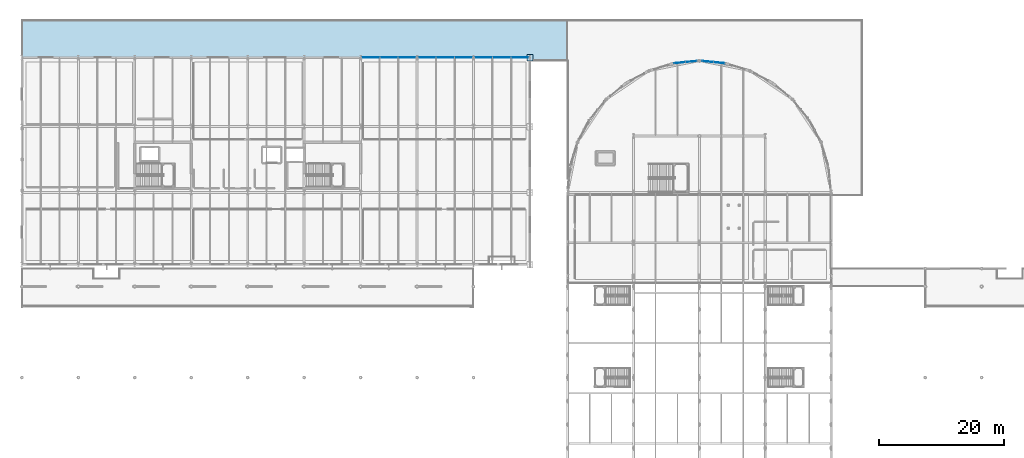
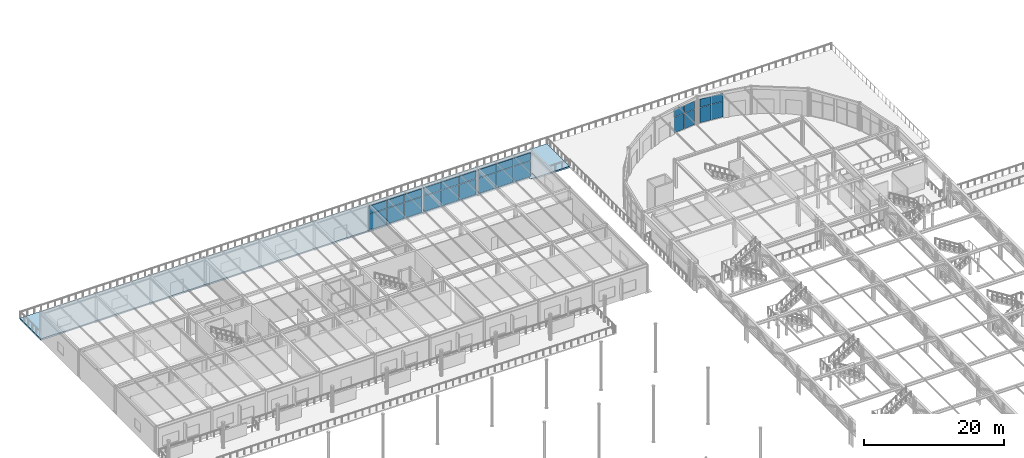
# One storey, part 76 of 143: 27 plates, 1 slab, 5 elements without a shape of their own.
"""IFC4 building model written with IfcOpenShell, lengths in metres."""

from ifc_helpers import new_model, si_unit, direction, frame, origin, origin_2d, place, context, subcontext, project, spatial, polyline, rectangle, outline, extrude, material, layer, layer_set, type_object, element, aggregate, save


model = new_model("IFC4")

# Units and contexts
model_context = context("Model", 3, precision=1e-05, world=origin(), true_north=direction((0.0, 1.0)))
body_context = subcontext(model_context, "Body", "Model", "MODEL_VIEW")
ifc_project = project(units=[si_unit("LENGTHUNIT", "METRE"), si_unit("AREAUNIT", "SQUARE_METRE"), si_unit("VOLUMEUNIT", "CUBIC_METRE"), si_unit("PLANEANGLEUNIT", "RADIAN"), si_unit("MASSUNIT", "GRAM", prefix="KILO")], contexts=[model_context])

# Site, building, storey
site_placement = place(None, origin())
site = spatial("IfcSite", under=ifc_project, at=site_placement, CompositionType="ELEMENT")
building_placement = place(site_placement, origin())
building = spatial("IfcBuilding", under=site, at=building_placement, Name="Marlcrest Central Station", CompositionType="ELEMENT")
storey_placement = place(building_placement, frame((0.0, 0.0, 4.800048828125)))
storey = spatial("IfcBuildingStorey", under=building, at=storey_placement, Name="L01", CompositionType="ELEMENT", Elevation=4.800048828125)

# Plate
ifc_material_1 = material(Name="Steel S355", Category="steel")
ifc_layer_1 = layer(ifc_material_1, 0.0380859375, Name="BPL-02")
ifc_layer_set_1 = layer_set([ifc_layer_1], Name="Steel S355")
plate_type_1 = type_object("IfcPlateType", Name="BPL-02", PredefinedType="USERDEFINED", material=ifc_layer_set_1)
plate_1_placement = place(storey_placement, frame((81.0, 132.0, 0.0), z_axis=(0.0, 0.0, 1.0), x_axis=(1.0, 0.0, 0.0)))
element("IfcPlate", 1, at=plate_1_placement, inside=storey, type_object=plate_type_1, Name="plt-bp-00043", ObjectType="BASE_PLATE", PredefinedType="USERDEFINED", context=body_context, shape_type="SweptSolid", body=[
    extrude(rectangle(XDim=1.0, YDim=1.0, at=origin_2d()), origin(), (0.0, 0.0, 1.0), 0.0380859375),
])

# Slab
ifc_material_2 = material(Name="Concrete C35/45", Category="concrete")
ifc_layer_2 = layer(ifc_material_2, 0.27490234375, Name="BS-04")
ifc_layer_set_2 = layer_set([ifc_layer_2], Name="Concrete C35/45")
slab_type = type_object("IfcSlabType", Name="BS-04", PredefinedType="BASESLAB", material=ifc_layer_set_2)
slab_placement = place(storey_placement, frame((0.0, 0.0, -0.275146484375)))
element("IfcSlab", 2, at=slab_placement, inside=storey, type_object=slab_type, Name="slab-L01-0023", PredefinedType="BASESLAB", context=body_context, shape_type="SweptSolid", body=[
    extrude(outline(polyline([(0.0, 138.0), (87.0, 138.0), (87.0, 131.5), (81.0, 131.5), (81.0, 132.0), (0.0, 132.0), (0.0, 138.0)])), origin(), (0.0, 0.0, 1.0), 0.275146484375),
])

# Curtain wall, plates
ifc_material_3 = material(Name="Anodised aluminium and hurricane laminated glass", Category="aluminium")
ifc_layer_3 = layer(ifc_material_3, 0.219970703125, Name="CW-U1")
ifc_layer_set_3 = layer_set([ifc_layer_3], Name="Anodised aluminium and hurricane laminated glass")
curtain_wall_type = type_object("IfcCurtainWallType", Name="CW-U1", PredefinedType="USERDEFINED", material=ifc_layer_set_3)
curtain_wall_1_placement = place(storey_placement, origin())
curtain_wall_1 = element("IfcCurtainWall", 3, at=curtain_wall_1_placement, inside=storey, type_object=curtain_wall_type, Name="cw-L01-0061", ObjectType="UNITISED_CURTAIN_WALL", PredefinedType="USERDEFINED")
ifc_material_4 = material(Name="Hurricane laminated solar-control glass", Category="glass")
ifc_layer_4 = layer(ifc_material_4, 0.031982421875, Name="CP-01")
ifc_layer_set_4 = layer_set([ifc_layer_4], Name="Hurricane laminated solar-control glass")
plate_type_2 = type_object("IfcPlateType", Name="CP-01", PredefinedType="CURTAIN_PANEL", material=ifc_layer_set_4)
plate_2_placement = place(storey_placement, frame((104.842041015625, 131.188720703125, 0.080078125), z_axis=(0.0, 0.0, 1.0), x_axis=(0.995172744192, 0.098138724349, 0.0)))
plate_2 = element("IfcPlate", 4, at=plate_2_placement, type_object=plate_type_2, Name="cw-L01-0061-cp-lo-0", PredefinedType="CURTAIN_PANEL", context=body_context, shape_type="SweptSolid", body=[
    extrude(rectangle(XDim=1.77001953125, YDim=0.031982421875, at=origin_2d()), origin(), (0.0, 0.0, 1.0), 2.675048828125),
])
plate_3_placement = place(storey_placement, frame((106.67919921875, 131.369873046875, 0.080078125), z_axis=(0.0, 0.0, 1.0), x_axis=(0.995172744192, 0.098138724349, 0.0)))
plate_3 = element("IfcPlate", 5, at=plate_3_placement, type_object=plate_type_2, Name="cw-L01-0061-cp-lo-1", PredefinedType="CURTAIN_PANEL", context=body_context, shape_type="SweptSolid", body=[
    extrude(rectangle(XDim=1.77001953125, YDim=0.031982421875, at=origin_2d()), origin(), (0.0, 0.0, 1.0), 2.675048828125),
])

curtain_wall_2_placement = place(storey_placement, origin())
curtain_wall_2 = element("IfcCurtainWall", 6, at=curtain_wall_2_placement, inside=storey, type_object=curtain_wall_type, Name="cw-L01-0062", ObjectType="UNITISED_CURTAIN_WALL", PredefinedType="USERDEFINED")
plate_4_placement = place(storey_placement, frame((109.32080078125, 131.369873046875, 0.080078125), z_axis=(0.0, 0.0, 1.0), x_axis=(0.995172744192, -0.098138724349, 0.0)))
plate_4 = element("IfcPlate", 7, at=plate_4_placement, type_object=plate_type_2, Name="cw-L01-0062-cp-lo-0", PredefinedType="CURTAIN_PANEL", context=body_context, shape_type="SweptSolid", body=[
    extrude(rectangle(XDim=1.77001953125, YDim=0.031982421875, at=origin_2d()), origin(), (0.0, 0.0, 1.0), 2.675048828125),
])
plate_5_placement = place(storey_placement, frame((111.157958984375, 131.188720703125, 0.080078125), z_axis=(0.0, 0.0, 1.0), x_axis=(0.995172744192, -0.098138724349, 0.0)))
plate_5 = element("IfcPlate", 8, at=plate_5_placement, type_object=plate_type_2, Name="cw-L01-0062-cp-lo-1", PredefinedType="CURTAIN_PANEL", context=body_context, shape_type="SweptSolid", body=[
    extrude(rectangle(XDim=1.77001953125, YDim=0.031982421875, at=origin_2d()), origin(), (0.0, 0.0, 1.0), 2.675048828125),
])

curtain_wall_3_placement = place(storey_placement, origin())
curtain_wall_3 = element("IfcCurtainWall", 9, at=curtain_wall_3_placement, inside=storey, type_object=curtain_wall_type, Name="cw-L01-0156", ObjectType="UNITISED_CURTAIN_WALL", PredefinedType="USERDEFINED")
ifc_material_5 = material(Name="Acoustic triple-glazed solar-control glass", Category="glass")
ifc_layer_5 = layer(ifc_material_5, 0.0439453125, Name="CP-03")
ifc_layer_set_5 = layer_set([ifc_layer_5], Name="Acoustic triple-glazed solar-control glass")
plate_type_3 = type_object("IfcPlateType", Name="CP-03", PredefinedType="CURTAIN_PANEL", material=ifc_layer_set_5)
plate_6_placement = place(storey_placement, frame((55.60009765625, 132.0, 0.079833984375), z_axis=(0.0, 0.0, 1.0), x_axis=(1.0, 0.0, 0.0)))
plate_6 = element("IfcPlate", 10, at=plate_6_placement, type_object=plate_type_3, Name="cw-L01-0156-cp-lo-0", PredefinedType="CURTAIN_PANEL", context=body_context, shape_type="SweptSolid", body=[
    extrude(rectangle(XDim=2.823974609375, YDim=0.0439453125, at=origin_2d()), origin(), (0.0, 0.0, 1.0), 2.7080078125),
])
plate_7_placement = place(storey_placement, frame((58.5, 132.0, 0.079833984375), z_axis=(0.0, 0.0, 1.0), x_axis=(1.0, 0.0, 0.0)))
plate_7 = element("IfcPlate", 11, at=plate_7_placement, type_object=plate_type_3, Name="cw-L01-0156-cp-lo-1", PredefinedType="CURTAIN_PANEL", context=body_context, shape_type="SweptSolid", body=[
    extrude(rectangle(XDim=2.823974609375, YDim=0.0439453125, at=origin_2d()), origin(), (0.0, 0.0, 1.0), 2.7080078125),
])
plate_8_placement = place(storey_placement, frame((61.39990234375, 132.0, 0.079833984375), z_axis=(0.0, 0.0, 1.0), x_axis=(1.0, 0.0, 0.0)))
plate_8 = element("IfcPlate", 12, at=plate_8_placement, type_object=plate_type_3, Name="cw-L01-0156-cp-lo-2", PredefinedType="CURTAIN_PANEL", context=body_context, shape_type="SweptSolid", body=[
    extrude(rectangle(XDim=2.823974609375, YDim=0.0439453125, at=origin_2d()), origin(), (0.0, 0.0, 1.0), 2.7080078125),
])

curtain_wall_4_placement = place(storey_placement, origin())
curtain_wall_4 = element("IfcCurtainWall", 13, at=curtain_wall_4_placement, inside=storey, type_object=curtain_wall_type, Name="cw-L01-0157", ObjectType="UNITISED_CURTAIN_WALL", PredefinedType="USERDEFINED")
plate_9_placement = place(storey_placement, frame((64.60009765625, 132.0, 0.079833984375), z_axis=(0.0, 0.0, 1.0), x_axis=(1.0, 0.0, 0.0)))
plate_9 = element("IfcPlate", 14, at=plate_9_placement, type_object=plate_type_3, Name="cw-L01-0157-cp-lo-0", PredefinedType="CURTAIN_PANEL", context=body_context, shape_type="SweptSolid", body=[
    extrude(rectangle(XDim=2.823974609375, YDim=0.0439453125, at=origin_2d()), origin(), (0.0, 0.0, 1.0), 2.7080078125),
])
plate_10_placement = place(storey_placement, frame((67.5, 132.0, 0.079833984375), z_axis=(0.0, 0.0, 1.0), x_axis=(1.0, 0.0, 0.0)))
plate_10 = element("IfcPlate", 15, at=plate_10_placement, type_object=plate_type_3, Name="cw-L01-0157-cp-lo-1", PredefinedType="CURTAIN_PANEL", context=body_context, shape_type="SweptSolid", body=[
    extrude(rectangle(XDim=2.823974609375, YDim=0.0439453125, at=origin_2d()), origin(), (0.0, 0.0, 1.0), 2.7080078125),
])
plate_11_placement = place(storey_placement, frame((70.39990234375, 132.0, 0.079833984375), z_axis=(0.0, 0.0, 1.0), x_axis=(1.0, 0.0, 0.0)))
plate_11 = element("IfcPlate", 16, at=plate_11_placement, type_object=plate_type_3, Name="cw-L01-0157-cp-lo-2", PredefinedType="CURTAIN_PANEL", context=body_context, shape_type="SweptSolid", body=[
    extrude(rectangle(XDim=2.823974609375, YDim=0.0439453125, at=origin_2d()), origin(), (0.0, 0.0, 1.0), 2.7080078125),
])

curtain_wall_5_placement = place(storey_placement, origin())
curtain_wall_5 = element("IfcCurtainWall", 17, at=curtain_wall_5_placement, inside=storey, type_object=curtain_wall_type, Name="cw-L01-0158", ObjectType="UNITISED_CURTAIN_WALL", PredefinedType="USERDEFINED")
plate_12_placement = place(storey_placement, frame((73.60009765625, 132.0, 0.079833984375), z_axis=(0.0, 0.0, 1.0), x_axis=(1.0, 0.0, 0.0)))
plate_12 = element("IfcPlate", 18, at=plate_12_placement, type_object=plate_type_3, Name="cw-L01-0158-cp-lo-0", PredefinedType="CURTAIN_PANEL", context=body_context, shape_type="SweptSolid", body=[
    extrude(rectangle(XDim=2.823974609375, YDim=0.0439453125, at=origin_2d()), origin(), (0.0, 0.0, 1.0), 2.7080078125),
])
plate_13_placement = place(storey_placement, frame((76.5, 132.0, 0.079833984375), z_axis=(0.0, 0.0, 1.0), x_axis=(1.0, 0.0, 0.0)))
plate_13 = element("IfcPlate", 19, at=plate_13_placement, type_object=plate_type_3, Name="cw-L01-0158-cp-lo-1", PredefinedType="CURTAIN_PANEL", context=body_context, shape_type="SweptSolid", body=[
    extrude(rectangle(XDim=2.823974609375, YDim=0.0439453125, at=origin_2d()), origin(), (0.0, 0.0, 1.0), 2.7080078125),
])
plate_14_placement = place(storey_placement, frame((79.39990234375, 132.0, 0.079833984375), z_axis=(0.0, 0.0, 1.0), x_axis=(1.0, 0.0, 0.0)))
plate_14 = element("IfcPlate", 20, at=plate_14_placement, type_object=plate_type_3, Name="cw-L01-0158-cp-lo-2", PredefinedType="CURTAIN_PANEL", context=body_context, shape_type="SweptSolid", body=[
    extrude(rectangle(XDim=2.823974609375, YDim=0.0439453125, at=origin_2d()), origin(), (0.0, 0.0, 1.0), 2.7080078125),
])

# Plate
ifc_material_6 = material(Name="Insulated bronze-anodised aluminium spandrel panel", Category="aluminium")
ifc_layer_6 = layer(ifc_material_6, 0.06005859375, Name="CP-04")
ifc_layer_set_6 = layer_set([ifc_layer_6], Name="Insulated bronze-anodised aluminium spandrel panel")
plate_type_4 = type_object("IfcPlateType", Name="CP-04", PredefinedType="CURTAIN_PANEL", material=ifc_layer_set_6)
plate_15_placement = place(storey_placement, frame((55.60009765625, 132.0, 2.86767578125), z_axis=(0.0, 0.0, 1.0), x_axis=(1.0, 0.0, 0.0)))
plate_15 = element("IfcPlate", 21, at=plate_15_placement, type_object=plate_type_4, Name="cw-L01-0156-cp-hi-0", PredefinedType="CURTAIN_PANEL", context=body_context, shape_type="SweptSolid", body=[
    extrude(rectangle(XDim=2.823974609375, YDim=0.06005859375, at=origin_2d()), origin(), (0.0, 0.0, 1.0), 1.402099609375),
])

plate_16_placement = place(storey_placement, frame((58.5, 132.0, 2.86767578125), z_axis=(0.0, 0.0, 1.0), x_axis=(1.0, 0.0, 0.0)))
plate_16 = element("IfcPlate", 22, at=plate_16_placement, type_object=plate_type_4, Name="cw-L01-0156-cp-hi-1", PredefinedType="CURTAIN_PANEL", context=body_context, shape_type="SweptSolid", body=[
    extrude(rectangle(XDim=2.823974609375, YDim=0.06005859375, at=origin_2d()), origin(), (0.0, 0.0, 1.0), 1.402099609375),
])

plate_17_placement = place(storey_placement, frame((61.39990234375, 132.0, 2.86767578125), z_axis=(0.0, 0.0, 1.0), x_axis=(1.0, 0.0, 0.0)))
plate_17 = element("IfcPlate", 23, at=plate_17_placement, type_object=plate_type_4, Name="cw-L01-0156-cp-hi-2", PredefinedType="CURTAIN_PANEL", context=body_context, shape_type="SweptSolid", body=[
    extrude(rectangle(XDim=2.823974609375, YDim=0.06005859375, at=origin_2d()), origin(), (0.0, 0.0, 1.0), 1.402099609375),
])

aggregate(curtain_wall_3, [plate_6, plate_15, plate_7, plate_16, plate_8, plate_17])

ifc_layer_7 = layer(ifc_material_6, 0.050048828125, Name="CP-05")
ifc_layer_set_7 = layer_set([ifc_layer_7], Name="Insulated bronze-anodised aluminium spandrel panel")
plate_type_5 = type_object("IfcPlateType", Name="CP-05", PredefinedType="CURTAIN_PANEL", material=ifc_layer_set_7)
plate_18_placement = place(storey_placement, frame((104.842041015625, 131.188720703125, 2.8349609375), z_axis=(0.0, 0.0, 1.0), x_axis=(0.995172744192, 0.098138724349, 0.0)))
plate_18 = element("IfcPlate", 24, at=plate_18_placement, type_object=plate_type_5, Name="cw-L01-0061-cp-hi-0", PredefinedType="CURTAIN_PANEL", context=body_context, shape_type="SweptSolid", body=[
    extrude(rectangle(XDim=1.77001953125, YDim=0.050048828125, at=origin_2d()), origin(), (0.0, 0.0, 1.0), 1.385009765625),
])

plate_19_placement = place(storey_placement, frame((106.67919921875, 131.369873046875, 2.8349609375), z_axis=(0.0, 0.0, 1.0), x_axis=(0.995172744192, 0.098138724349, 0.0)))
plate_19 = element("IfcPlate", 25, at=plate_19_placement, type_object=plate_type_5, Name="cw-L01-0061-cp-hi-1", PredefinedType="CURTAIN_PANEL", context=body_context, shape_type="SweptSolid", body=[
    extrude(rectangle(XDim=1.77001953125, YDim=0.050048828125, at=origin_2d()), origin(), (0.0, 0.0, 1.0), 1.385009765625),
])

aggregate(curtain_wall_1, [plate_2, plate_18, plate_3, plate_19])

plate_20_placement = place(storey_placement, frame((64.60009765625, 132.0, 2.86767578125), z_axis=(0.0, 0.0, 1.0), x_axis=(1.0, 0.0, 0.0)))
plate_20 = element("IfcPlate", 26, at=plate_20_placement, type_object=plate_type_5, Name="cw-L01-0157-cp-hi-0", PredefinedType="CURTAIN_PANEL", context=body_context, shape_type="SweptSolid", body=[
    extrude(rectangle(XDim=2.823974609375, YDim=0.050048828125, at=origin_2d()), origin(), (0.0, 0.0, 1.0), 1.402099609375),
])

plate_21_placement = place(storey_placement, frame((67.5, 132.0, 2.86767578125), z_axis=(0.0, 0.0, 1.0), x_axis=(1.0, 0.0, 0.0)))
plate_21 = element("IfcPlate", 27, at=plate_21_placement, type_object=plate_type_5, Name="cw-L01-0157-cp-hi-1", PredefinedType="CURTAIN_PANEL", context=body_context, shape_type="SweptSolid", body=[
    extrude(rectangle(XDim=2.823974609375, YDim=0.050048828125, at=origin_2d()), origin(), (0.0, 0.0, 1.0), 1.402099609375),
])

plate_22_placement = place(storey_placement, frame((70.39990234375, 132.0, 2.86767578125), z_axis=(0.0, 0.0, 1.0), x_axis=(1.0, 0.0, 0.0)))
plate_22 = element("IfcPlate", 28, at=plate_22_placement, type_object=plate_type_5, Name="cw-L01-0157-cp-hi-2", PredefinedType="CURTAIN_PANEL", context=body_context, shape_type="SweptSolid", body=[
    extrude(rectangle(XDim=2.823974609375, YDim=0.050048828125, at=origin_2d()), origin(), (0.0, 0.0, 1.0), 1.402099609375),
])

aggregate(curtain_wall_4, [plate_9, plate_20, plate_10, plate_21, plate_11, plate_22])

ifc_material_7 = material(Name="Insulated acoustic spandrel panel")
ifc_layer_8 = layer(ifc_material_7, 0.074951171875, Name="CP-06")
ifc_layer_set_8 = layer_set([ifc_layer_8], Name="Insulated acoustic spandrel panel")
plate_type_6 = type_object("IfcPlateType", Name="CP-06", PredefinedType="CURTAIN_PANEL", material=ifc_layer_set_8)
plate_23_placement = place(storey_placement, frame((109.32080078125, 131.369873046875, 2.8349609375), z_axis=(0.0, 0.0, 1.0), x_axis=(0.995172744192, -0.098138724349, 0.0)))
plate_23 = element("IfcPlate", 29, at=plate_23_placement, type_object=plate_type_6, Name="cw-L01-0062-cp-hi-0", PredefinedType="CURTAIN_PANEL", context=body_context, shape_type="SweptSolid", body=[
    extrude(rectangle(XDim=1.77001953125, YDim=0.074951171875, at=origin_2d()), origin(), (0.0, 0.0, 1.0), 1.385009765625),
])

plate_24_placement = place(storey_placement, frame((111.157958984375, 131.188720703125, 2.8349609375), z_axis=(0.0, 0.0, 1.0), x_axis=(0.995172744192, -0.098138724349, 0.0)))
plate_24 = element("IfcPlate", 30, at=plate_24_placement, type_object=plate_type_6, Name="cw-L01-0062-cp-hi-1", PredefinedType="CURTAIN_PANEL", context=body_context, shape_type="SweptSolid", body=[
    extrude(rectangle(XDim=1.77001953125, YDim=0.074951171875, at=origin_2d()), origin(), (0.0, 0.0, 1.0), 1.385009765625),
])

aggregate(curtain_wall_2, [plate_4, plate_23, plate_5, plate_24])

plate_25_placement = place(storey_placement, frame((73.60009765625, 132.0, 2.86767578125), z_axis=(0.0, 0.0, 1.0), x_axis=(1.0, 0.0, 0.0)))
plate_25 = element("IfcPlate", 31, at=plate_25_placement, type_object=plate_type_6, Name="cw-L01-0158-cp-hi-0", PredefinedType="CURTAIN_PANEL", context=body_context, shape_type="SweptSolid", body=[
    extrude(rectangle(XDim=2.823974609375, YDim=0.074951171875, at=origin_2d()), origin(), (0.0, 0.0, 1.0), 1.402099609375),
])

plate_26_placement = place(storey_placement, frame((76.5, 132.0, 2.86767578125), z_axis=(0.0, 0.0, 1.0), x_axis=(1.0, 0.0, 0.0)))
plate_26 = element("IfcPlate", 32, at=plate_26_placement, type_object=plate_type_6, Name="cw-L01-0158-cp-hi-1", PredefinedType="CURTAIN_PANEL", context=body_context, shape_type="SweptSolid", body=[
    extrude(rectangle(XDim=2.823974609375, YDim=0.074951171875, at=origin_2d()), origin(), (0.0, 0.0, 1.0), 1.402099609375),
])

plate_27_placement = place(storey_placement, frame((79.39990234375, 132.0, 2.86767578125), z_axis=(0.0, 0.0, 1.0), x_axis=(1.0, 0.0, 0.0)))
plate_27 = element("IfcPlate", 33, at=plate_27_placement, type_object=plate_type_6, Name="cw-L01-0158-cp-hi-2", PredefinedType="CURTAIN_PANEL", context=body_context, shape_type="SweptSolid", body=[
    extrude(rectangle(XDim=2.823974609375, YDim=0.074951171875, at=origin_2d()), origin(), (0.0, 0.0, 1.0), 1.402099609375),
])

aggregate(curtain_wall_5, [plate_12, plate_25, plate_13, plate_26, plate_14, plate_27])

save(model, "model.ifc")
